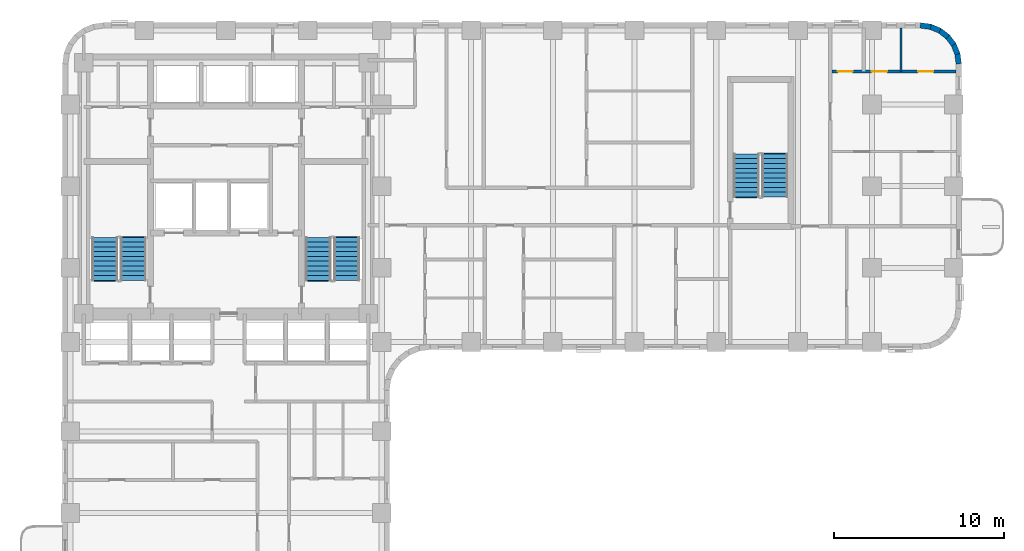
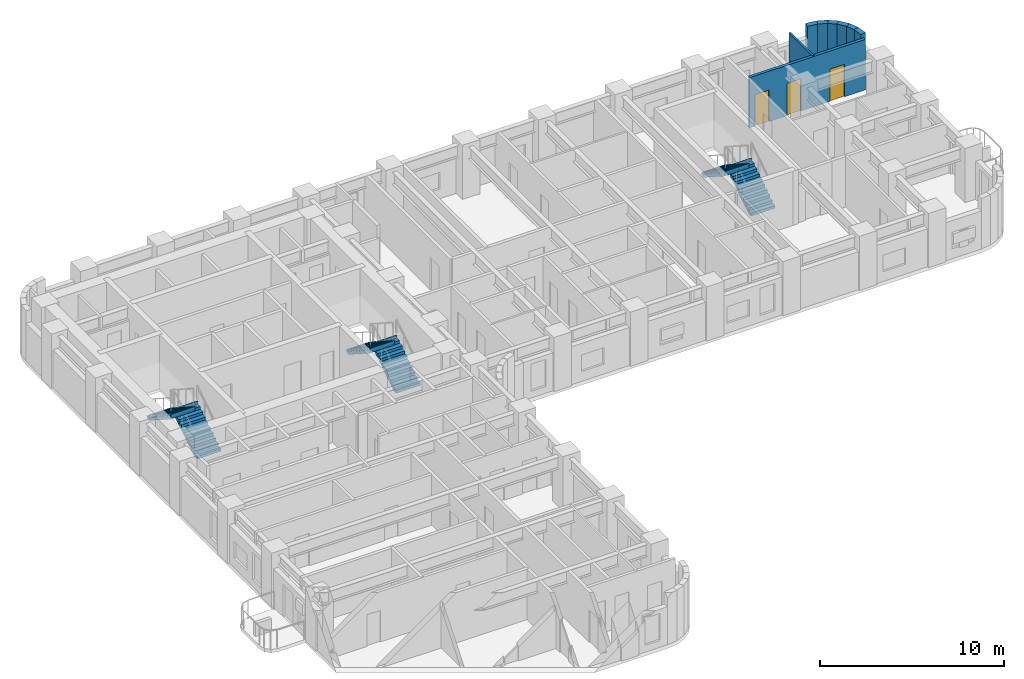
# One storey, part 8 of 11: 8 walls, 6 stair flights, 3 doors, 3 openings, 3 elements without a shape of their own.
"""IFC4 building model written with IfcOpenShell, lengths in metres."""

from ifc_helpers import new_model, si_unit, direction, frame, frame_2d, origin, place, context, subcontext, project, spatial, polyline, rectangle, outline, extrude, material, layer, layer_set, type_object, element, fill, aggregate, save


model = new_model("IFC4")

# Units and contexts
model_context = context("Model", 3, precision=1e-05, world=origin(), true_north=direction((0.0, 1.0)))
body_context = subcontext(model_context, "Body", "Model", "MODEL_VIEW")
ifc_project = project(units=[si_unit("LENGTHUNIT", "METRE"), si_unit("AREAUNIT", "SQUARE_METRE"), si_unit("VOLUMEUNIT", "CUBIC_METRE"), si_unit("PLANEANGLEUNIT", "RADIAN"), si_unit("MASSUNIT", "GRAM", prefix="KILO")], contexts=[model_context])

# Site, building, storey
site_placement = place(None, origin())
site = spatial("IfcSite", under=ifc_project, at=site_placement, CompositionType="ELEMENT")
building_placement = place(site_placement, origin())
building = spatial("IfcBuilding", under=site, at=building_placement, Name="Orvandelia Arch Residences", CompositionType="ELEMENT")
storey_placement = place(building_placement, frame((0.0, 0.0, 46.60009765625)))
storey = spatial("IfcBuildingStorey", under=building, at=storey_placement, Name="L11", CompositionType="ELEMENT", Elevation=46.60009765625)

# Walls
ifc_material_1 = material(Name="Precast concrete C40/50", Category="concrete")
ifc_layer_1 = layer(ifc_material_1, 0.320068359375, Name="Precast concrete C40/50", Category="concrete")
ifc_layer_set_1 = layer_set([ifc_layer_1], Name="Precast concrete C40/50")
wall_type_1 = type_object("IfcWallType", Name="WL-EXT-STONE-320", PredefinedType="STANDARD", material=ifc_layer_set_1)
for number, where, z_axis, x_axis, name in (
    (1, (55.17919921875, 47.84130859375, 0.0), (0.0, 0.0, 1.0), (0.9914410257, -0.130555323746, 0.0), "Coral-Limestone Precast Facade Wall L11-008"),
    (2, (55.760009765625, 47.7705078125, 0.0), (0.0, 0.0, 1.0), (0.92389335771, -0.382650053678, 0.0), "Coral-Limestone Precast Facade Wall L11-009"),
):
    element("IfcWall", number, at=place(storey_placement, frame(where, z_axis=z_axis, x_axis=x_axis)), inside=storey, type_object=wall_type_1, Name=name, PredefinedType="STANDARD", context=body_context, shape_type="SweptSolid", body=[
        extrude(rectangle(XDim=0.62646484375, YDim=0.320068359375, at=frame_2d((0.313232421875, 0.0))), origin(), (0.0, 0.0, 1.0), 3.349853515625),
    ])
wall_1_placement = place(storey_placement, frame((56.302490234375, 47.551513671875, 0.0), z_axis=(0.0, 0.0, 1.0), x_axis=(0.793549926411, -0.608505147302, 0.0)))
element("IfcWall", 3, at=wall_1_placement, inside=storey, type_object=wall_type_1, Name="Coral-Limestone Precast Facade Wall L11-010", PredefinedType="STANDARD", context=body_context, shape_type="SweptSolid", body=[
    extrude(rectangle(XDim=0.626708984375, YDim=0.320068359375, at=frame_2d((0.3134765625, 0.0))), origin(), (0.0, 0.0, 1.0), 3.349853515625),
])
for number, where, z_axis, x_axis, name in (
    (4, (56.770263671875, 47.19970703125, 0.0), (0.0, 0.0, 1.0), (0.608693302629, -0.793405610854, 0.0), "Coral-Limestone Precast Facade Wall L11-011"),
    (5, (57.130615234375, 46.73876953125, 0.0), (0.0, 0.0, 1.0), (0.382650053678, -0.92389335771, 0.0), "Coral-Limestone Precast Facade Wall L11-012"),
    (6, (57.359619140625, 46.2001953125, 0.0), (0.0, 0.0, 1.0), (0.130555323746, -0.9914410257, 0.0), "Coral-Limestone Precast Facade Wall L11-013"),
):
    element("IfcWall", number, at=place(storey_placement, frame(where, z_axis=z_axis, x_axis=x_axis)), inside=storey, type_object=wall_type_1, Name=name, PredefinedType="STANDARD", context=body_context, shape_type="SweptSolid", body=[
        extrude(rectangle(XDim=0.62646484375, YDim=0.320068359375, at=frame_2d((0.313232421875, 0.0))), origin(), (0.0, 0.0, 1.0), 3.349853515625),
    ])
ifc_material_2 = material(Name="Lightweight Gypsum Stud Partition")
ifc_layer_2 = layer(ifc_material_2, 0.1201171875, Name="Lightweight Gypsum Stud Partition")
ifc_layer_set_2 = layer_set([ifc_layer_2], Name="Lightweight Gypsum Stud Partition")
wall_type_2 = type_object("IfcWallType", Name="WL-PART-120", PredefinedType="PARTITIONING", material=ifc_layer_set_2)
wall_2_placement = place(storey_placement, frame((54.048095703125, 45.138916015625, 0.0), z_axis=(0.0, 0.0, 1.0), x_axis=(0.0, 1.0, 0.0)))
element("IfcWall", 7, at=wall_2_placement, inside=storey, type_object=wall_type_2, Name="Interior Partition Wall WL-L11-U10-V2", PredefinedType="PARTITIONING", context=body_context, shape_type="SweptSolid", body=[
    extrude(rectangle(XDim=2.541015625, YDim=0.1201171875, at=frame_2d((1.2705078125, 0.0))), origin(), (0.0, 0.0, 1.0), 3.349853515625),
])

# Wall, openings, doors
ifc_material_3 = material(Name="Moisture-Resistant Plumbing Wall")
ifc_layer_3 = layer(ifc_material_3, 0.179931640625, Name="Moisture-Resistant Plumbing Wall")
ifc_layer_set_3 = layer_set([ifc_layer_3], Name="Moisture-Resistant Plumbing Wall")
wall_type_3 = type_object("IfcWallType", Name="WL-WET-180", PredefinedType="PLUMBINGWALL", material=ifc_layer_set_3)
wall_3_placement = place(storey_placement, frame((50.0, 45.138916015625, 0.0), z_axis=(0.0, 0.0, 1.0), x_axis=(1.0, 0.0, 0.0)))
wall_3 = element("IfcWall", 8, at=wall_3_placement, inside=storey, type_object=wall_type_3, Name="Interior Partition Wall WL-L11-U10-HZ", PredefinedType="PLUMBINGWALL", context=body_context, shape_type="SweptSolid", body=[
    extrude(rectangle(XDim=7.280029296875, YDim=0.179931640625, at=frame_2d((3.64013671875, 0.0))), origin(), (0.0, 0.0, 1.0), 3.349853515625),
])
opening_1_placement = place(wall_3_placement, frame((0.343017578125, 0.0, 0.0)))
opening_1 = element("IfcOpeningElement", 9, at=opening_1_placement, cuts=wall_3, Name="Opening D4", PredefinedType="OPENING", context=body_context, shape_type="SweptSolid", body=[
    extrude(rectangle(XDim=0.860107421875, YDim=2.10009765625, at=frame_2d((0.43017578125, 1.050048828125))), frame((0.0, 0.10009765625, 0.0), z_axis=(0.0, -1.0, 0.0), x_axis=(1.0, 0.0, 0.0)), (0.0, 0.0, 1.0), 0.199951171875),
])
opening_2_placement = place(wall_3_placement, frame((2.328125, 0.0, 0.0)))
opening_2 = element("IfcOpeningElement", 10, at=opening_2_placement, cuts=wall_3, Name="Opening D3", PredefinedType="OPENING", context=body_context, shape_type="SweptSolid", body=[
    extrude(rectangle(XDim=0.89990234375, YDim=2.14990234375, at=frame_2d((0.449951171875, 1.074951171875))), frame((0.0, 0.10009765625, 0.0), z_axis=(0.0, -1.0, 0.0), x_axis=(1.0, 0.0, 0.0)), (0.0, 0.0, 1.0), 0.199951171875),
])
opening_3_placement = place(wall_3_placement, frame((5.056884765625, 0.0, 0.0)))
opening_3 = element("IfcOpeningElement", 11, at=opening_3_placement, cuts=wall_3, Name="Opening D3", PredefinedType="OPENING", context=body_context, shape_type="SweptSolid", body=[
    extrude(rectangle(XDim=0.89990234375, YDim=2.14990234375, at=frame_2d((0.449951171875, 1.074951171875))), frame((0.0, 0.10009765625, 0.0), z_axis=(0.0, -1.0, 0.0), x_axis=(1.0, 0.0, 0.0)), (0.0, 0.0, 1.0), 0.199951171875),
])
ifc_material_4 = material(Name="Engineered Timber Flush Door", Category="wood")
door_type_1 = type_object("IfcDoorType", Name="DR-INT-900", OperationType="NOTDEFINED", PredefinedType="DOOR", material=ifc_material_4)
door_1_placement = place(opening_2_placement, origin())
door_1 = element("IfcDoor", 12, at=door_1_placement, inside=storey, type_object=door_type_1, Name="DR-L11-U10-KIT", OperationType="SINGLE_SWING_RIGHT", OverallHeight=2.14990234375, OverallWidth=0.89990234375, PredefinedType="DOOR", context=body_context, shape_type="SweptSolid", body=[
    extrude(rectangle(XDim=0.89990234375, YDim=2.14990234375, at=frame_2d((0.449951171875, 1.074951171875))), frame((0.0, 0.02490234375, 0.0), z_axis=(0.0, -1.0, 0.0), x_axis=(1.0, 0.0, 0.0)), (0.0, 0.0, 1.0), 0.050048828125),
])
fill(opening_2, door_1)
door_2_placement = place(opening_3_placement, origin())
door_2 = element("IfcDoor", 13, at=door_2_placement, inside=storey, type_object=door_type_1, Name="DR-L11-U10-BD1", OperationType="SINGLE_SWING_LEFT", OverallHeight=2.14990234375, OverallWidth=0.89990234375, PredefinedType="DOOR", context=body_context, shape_type="SweptSolid", body=[
    extrude(rectangle(XDim=0.89990234375, YDim=2.14990234375, at=frame_2d((0.449951171875, 1.074951171875))), frame((0.0, 0.02490234375, 0.0), z_axis=(0.0, -1.0, 0.0), x_axis=(1.0, 0.0, 0.0)), (0.0, 0.0, 1.0), 0.050048828125),
])
fill(opening_3, door_2)
ifc_material_5 = material(Name="Moisture-Sealed Timber Bathroom Door", Category="wood")
door_type_2 = type_object("IfcDoorType", Name="DR-WET-900", OperationType="NOTDEFINED", PredefinedType="DOOR", material=ifc_material_5)
door_3_placement = place(opening_1_placement, origin())
door_3 = element("IfcDoor", 14, at=door_3_placement, inside=storey, type_object=door_type_2, Name="DR-L11-U10-BTH", OperationType="SINGLE_SWING_LEFT", OverallHeight=2.10009765625, OverallWidth=0.860107421875, PredefinedType="DOOR", context=body_context, shape_type="SweptSolid", body=[
    extrude(rectangle(XDim=0.860107421875, YDim=2.10009765625, at=frame_2d((0.43017578125, 1.050048828125))), frame((0.0, 0.02490234375, 0.0), z_axis=(0.0, -1.0, 0.0), x_axis=(1.0, 0.0, 0.0)), (0.0, 0.0, 1.0), 0.050048828125),
])
fill(opening_1, door_3)

# Stair, stair flights
ifc_material_6 = material(Name="Concrete C40/50", Category="concrete")
stair_type = type_object("IfcStairType", Name="STAIR-RC-DOGLEG", PredefinedType="HALF_TURN_STAIR", material=ifc_material_6)
stair_1_placement = place(storey_placement, origin())
stair_1 = element("IfcStair", 15, at=stair_1_placement, inside=storey, type_object=stair_type, Name="L11 Protected Exit Stair ST-1", PredefinedType="HALF_TURN_STAIR")
stair_flight_type = type_object("IfcStairFlightType", Name="STFLT-RC-1520", PredefinedType="STRAIGHT", material=ifc_material_6)
stair_flight_1_placement = place(storey_placement, frame((8.9599609375, 32.8701171875, 0.0), z_axis=(0.0, 0.0, 1.0), x_axis=(0.0, 1.0, 0.0)))
stair_flight_1 = element("IfcStairFlight", 16, at=stair_flight_1_placement, type_object=stair_flight_type, Name="ST-1 flight 1", NumberOfRisers=10, NumberOfTreads=9, PredefinedType="STRAIGHT", RiserHeight=0.18, TreadLength=0.28, context=body_context, shape_type="SweptSolid", body=[
    extrude(outline(polyline([(0.0, 0.0), (0.0, 0.179931640625), (0.280029296875, 0.179931640625), (0.280029296875, 0.360107421875), (0.56005859375, 0.360107421875), (0.56005859375, 0.5400390625), (0.840087890625, 0.5400390625), (0.840087890625, 0.719970703125), (1.1201171875, 0.719970703125), (1.1201171875, 0.89990234375), (1.39990234375, 0.89990234375), (1.39990234375, 1.080078125), (1.679931640625, 1.080078125), (1.679931640625, 1.260009765625), (1.9599609375, 1.260009765625), (1.9599609375, 1.43994140625), (2.239990234375, 1.43994140625), (2.239990234375, 1.6201171875), (2.52001953125, 1.6201171875), (2.52001953125, 1.800048828125), (2.580078125, 1.800048828125), (2.580078125, 1.6201171875), (2.52001953125, 1.44189453125), (0.277099609375, 0.0), (0.0, 0.0)])), frame((0.0, 0.760009765625, 0.0), z_axis=(0.0, -1.0, 0.0), x_axis=(1.0, 0.0, 0.0)), (0.0, 0.0, 1.0), 1.52001953125),
])
stair_flight_2_placement = place(storey_placement, frame((7.2900390625, 35.389892578125, 1.7998046875), z_axis=(0.0, 0.0, 1.0), x_axis=(0.0, -1.0, 0.0)))
stair_flight_2 = element("IfcStairFlight", 17, at=stair_flight_2_placement, type_object=stair_flight_type, Name="ST-1 flight 2", NumberOfRisers=10, NumberOfTreads=9, PredefinedType="STRAIGHT", RiserHeight=0.18, TreadLength=0.28, context=body_context, shape_type="SweptSolid", body=[
    extrude(outline(polyline([(0.0, 0.0), (0.0, 0.179931640625), (0.280029296875, 0.179931640625), (0.280029296875, 0.360107421875), (0.56005859375, 0.360107421875), (0.56005859375, 0.5400390625), (0.840087890625, 0.5400390625), (0.840087890625, 0.719970703125), (1.1201171875, 0.719970703125), (1.1201171875, 0.89990234375), (1.39990234375, 0.89990234375), (1.39990234375, 1.080078125), (1.679931640625, 1.080078125), (1.679931640625, 1.260009765625), (1.9599609375, 1.260009765625), (1.9599609375, 1.43994140625), (2.239990234375, 1.43994140625), (2.239990234375, 1.6201171875), (2.52001953125, 1.6201171875), (2.52001953125, 1.800048828125), (2.580078125, 1.800048828125), (2.580078125, 1.6201171875), (2.52001953125, 1.44189453125), (0.277099609375, 0.0), (0.0, 0.0)])), frame((0.0, 0.760009765625, 0.0), z_axis=(0.0, -1.0, 0.0), x_axis=(1.0, 0.0, 0.0)), (0.0, 0.0, 1.0), 1.52001953125),
])
aggregate(stair_1, [stair_flight_1, stair_flight_2])

stair_2_placement = place(storey_placement, origin())
stair_2 = element("IfcStair", 18, at=stair_2_placement, inside=storey, type_object=stair_type, Name="L11 Protected Exit Stair ST-2", PredefinedType="HALF_TURN_STAIR")
stair_flight_3_placement = place(storey_placement, frame((21.489990234375, 32.8701171875, 0.0), z_axis=(0.0, 0.0, 1.0), x_axis=(0.0, 1.0, 0.0)))
stair_flight_3 = element("IfcStairFlight", 19, at=stair_flight_3_placement, type_object=stair_flight_type, Name="ST-2 flight 1", NumberOfRisers=10, NumberOfTreads=9, PredefinedType="STRAIGHT", RiserHeight=0.18, TreadLength=0.28, context=body_context, shape_type="SweptSolid", body=[
    extrude(outline(polyline([(0.0, 0.0), (0.0, 0.179931640625), (0.280029296875, 0.179931640625), (0.280029296875, 0.360107421875), (0.56005859375, 0.360107421875), (0.56005859375, 0.5400390625), (0.840087890625, 0.5400390625), (0.840087890625, 0.719970703125), (1.1201171875, 0.719970703125), (1.1201171875, 0.89990234375), (1.39990234375, 0.89990234375), (1.39990234375, 1.080078125), (1.679931640625, 1.080078125), (1.679931640625, 1.260009765625), (1.9599609375, 1.260009765625), (1.9599609375, 1.43994140625), (2.239990234375, 1.43994140625), (2.239990234375, 1.6201171875), (2.52001953125, 1.6201171875), (2.52001953125, 1.800048828125), (2.580078125, 1.800048828125), (2.580078125, 1.6201171875), (2.52001953125, 1.44189453125), (0.277099609375, 0.0), (0.0, 0.0)])), frame((0.0, 0.760009765625, 0.0), z_axis=(0.0, -1.0, 0.0), x_axis=(1.0, 0.0, 0.0)), (0.0, 0.0, 1.0), 1.52001953125),
])
stair_flight_4_placement = place(storey_placement, frame((19.820068359375, 35.389892578125, 1.7998046875), z_axis=(0.0, 0.0, 1.0), x_axis=(0.0, -1.0, 0.0)))
stair_flight_4 = element("IfcStairFlight", 20, at=stair_flight_4_placement, type_object=stair_flight_type, Name="ST-2 flight 2", NumberOfRisers=10, NumberOfTreads=9, PredefinedType="STRAIGHT", RiserHeight=0.18, TreadLength=0.28, context=body_context, shape_type="SweptSolid", body=[
    extrude(outline(polyline([(0.0, 0.0), (0.0, 0.179931640625), (0.280029296875, 0.179931640625), (0.280029296875, 0.360107421875), (0.56005859375, 0.360107421875), (0.56005859375, 0.5400390625), (0.840087890625, 0.5400390625), (0.840087890625, 0.719970703125), (1.1201171875, 0.719970703125), (1.1201171875, 0.89990234375), (1.39990234375, 0.89990234375), (1.39990234375, 1.080078125), (1.679931640625, 1.080078125), (1.679931640625, 1.260009765625), (1.9599609375, 1.260009765625), (1.9599609375, 1.43994140625), (2.239990234375, 1.43994140625), (2.239990234375, 1.6201171875), (2.52001953125, 1.6201171875), (2.52001953125, 1.800048828125), (2.580078125, 1.800048828125), (2.580078125, 1.6201171875), (2.52001953125, 1.44189453125), (0.277099609375, 0.0), (0.0, 0.0)])), frame((0.0, 0.760009765625, 0.0), z_axis=(0.0, -1.0, 0.0), x_axis=(1.0, 0.0, 0.0)), (0.0, 0.0, 1.0), 1.52001953125),
])
aggregate(stair_2, [stair_flight_3, stair_flight_4])

stair_3_placement = place(storey_placement, origin())
stair_3 = element("IfcStair", 21, at=stair_3_placement, inside=storey, type_object=stair_type, Name="L11 East Wing Exit Stair ST-3", PredefinedType="HALF_TURN_STAIR")
stair_flight_5_placement = place(storey_placement, frame((46.639892578125, 37.77001953125, 0.0), z_axis=(0.0, 0.0, 1.0), x_axis=(0.0, 1.0, 0.0)))
stair_flight_5 = element("IfcStairFlight", 22, at=stair_flight_5_placement, type_object=stair_flight_type, Name="ST-3 flight 1", NumberOfRisers=10, NumberOfTreads=9, PredefinedType="STRAIGHT", RiserHeight=0.18, TreadLength=0.28, context=body_context, shape_type="SweptSolid", body=[
    extrude(outline(polyline([(0.0, 0.0), (0.0, 0.179931640625), (0.280029296875, 0.179931640625), (0.280029296875, 0.360107421875), (0.56005859375, 0.360107421875), (0.56005859375, 0.5400390625), (0.840087890625, 0.5400390625), (0.840087890625, 0.719970703125), (1.1201171875, 0.719970703125), (1.1201171875, 0.89990234375), (1.39990234375, 0.89990234375), (1.39990234375, 1.080078125), (1.679931640625, 1.080078125), (1.679931640625, 1.260009765625), (1.9599609375, 1.260009765625), (1.9599609375, 1.43994140625), (2.239990234375, 1.43994140625), (2.239990234375, 1.6201171875), (2.52001953125, 1.6201171875), (2.52001953125, 1.800048828125), (2.580078125, 1.800048828125), (2.580078125, 1.6201171875), (2.52001953125, 1.44189453125), (0.277099609375, 0.0), (0.0, 0.0)])), frame((0.0, 0.760009765625, 0.0), z_axis=(0.0, -1.0, 0.0), x_axis=(1.0, 0.0, 0.0)), (0.0, 0.0, 1.0), 1.52001953125),
])
stair_flight_6_placement = place(storey_placement, frame((44.969970703125, 40.2900390625, 1.7998046875), z_axis=(0.0, 0.0, 1.0), x_axis=(0.0, -1.0, 0.0)))
stair_flight_6 = element("IfcStairFlight", 23, at=stair_flight_6_placement, type_object=stair_flight_type, Name="ST-3 flight 2", NumberOfRisers=10, NumberOfTreads=9, PredefinedType="STRAIGHT", RiserHeight=0.18, TreadLength=0.28, context=body_context, shape_type="SweptSolid", body=[
    extrude(outline(polyline([(0.0, 0.0), (0.0, 0.179931640625), (0.280029296875, 0.179931640625), (0.280029296875, 0.360107421875), (0.56005859375, 0.360107421875), (0.56005859375, 0.5400390625), (0.840087890625, 0.5400390625), (0.840087890625, 0.719970703125), (1.1201171875, 0.719970703125), (1.1201171875, 0.89990234375), (1.39990234375, 0.89990234375), (1.39990234375, 1.080078125), (1.679931640625, 1.080078125), (1.679931640625, 1.260009765625), (1.9599609375, 1.260009765625), (1.9599609375, 1.43994140625), (2.239990234375, 1.43994140625), (2.239990234375, 1.6201171875), (2.52001953125, 1.6201171875), (2.52001953125, 1.800048828125), (2.580078125, 1.800048828125), (2.580078125, 1.6201171875), (2.52001953125, 1.44189453125), (0.277099609375, 0.0), (0.0, 0.0)])), frame((0.0, 0.760009765625, 0.0), z_axis=(0.0, -1.0, 0.0), x_axis=(1.0, 0.0, 0.0)), (0.0, 0.0, 1.0), 1.52001953125),
])
aggregate(stair_3, [stair_flight_5, stair_flight_6])

save(model, "model.ifc")
